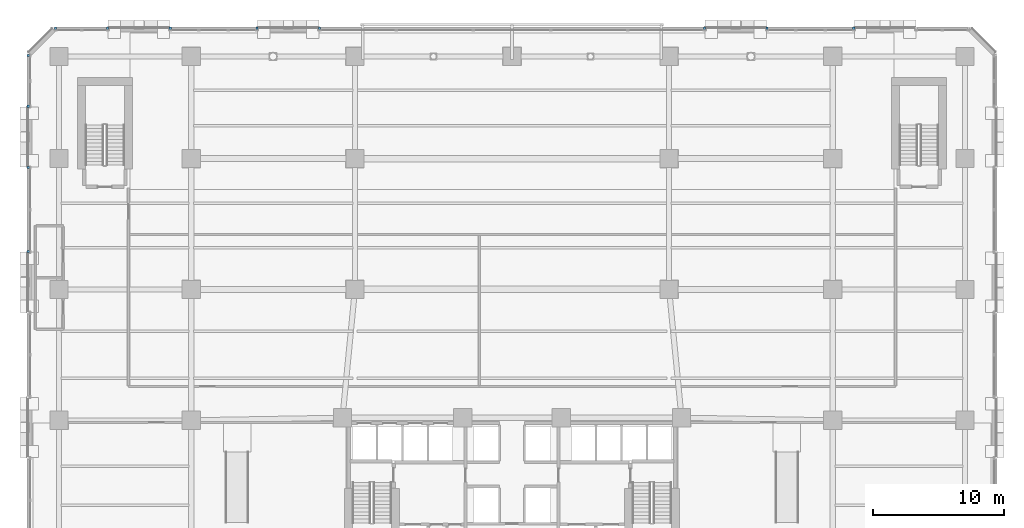
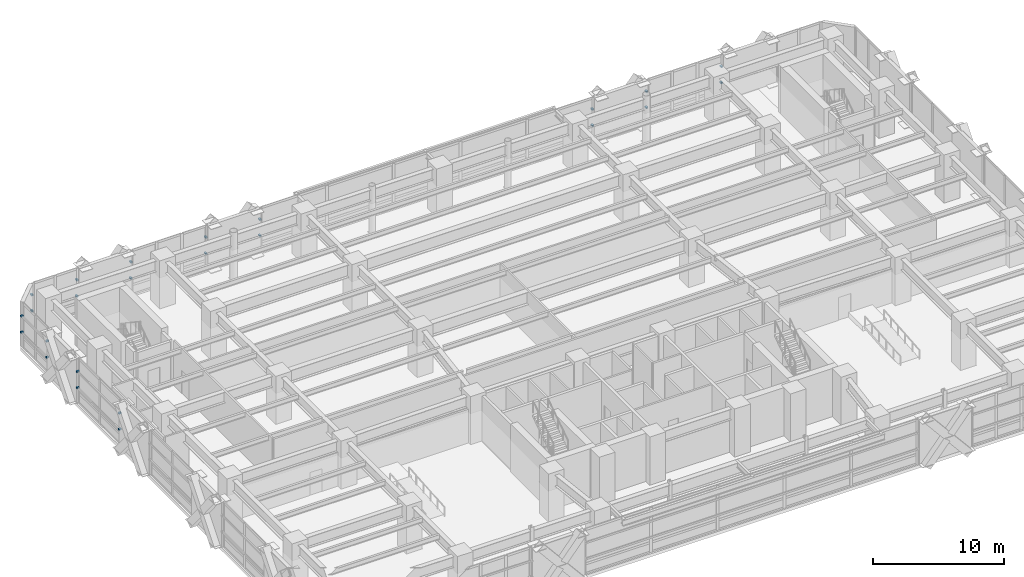
# One storey, part 22 of 30: 24 discrete accessories.
"""IFC4 building model written with IfcOpenShell, lengths in metres."""

from ifc_helpers import new_model, si_unit, direction, frame, origin, origin_2d, place, context, subcontext, project, spatial, rectangle, extrude, material, type_object, element, save


model = new_model("IFC4")

# Units and contexts
model_context = context("Model", 3, precision=1e-05, world=origin(), true_north=direction((0.0, 1.0)))
body_context = subcontext(model_context, "Body", "Model", "MODEL_VIEW")
ifc_project = project(units=[si_unit("LENGTHUNIT", "METRE"), si_unit("AREAUNIT", "SQUARE_METRE"), si_unit("VOLUMEUNIT", "CUBIC_METRE"), si_unit("PLANEANGLEUNIT", "RADIAN"), si_unit("MASSUNIT", "GRAM", prefix="KILO")], contexts=[model_context])

# Site, building, storey
site_placement = place(None, origin())
site = spatial("IfcSite", under=ifc_project, at=site_placement, CompositionType="ELEMENT")
building_placement = place(site_placement, origin())
building = spatial("IfcBuilding", under=site, at=building_placement, Name="Quenlor Broadcast Tower", CompositionType="ELEMENT")
storey_placement = place(building_placement, frame((0.0, 0.0, 9.5)))
storey = spatial("IfcBuildingStorey", under=building, at=storey_placement, Name="L02", CompositionType="ELEMENT", Elevation=9.5)

# Discrete accessories
ifc_material = material(Name="Aluminium 6063-T6", Category="aluminium")
discrete_accessory_type = type_object("IfcDiscreteAccessoryType", Name="Stainless Mullion Baguette Support Bracket", PredefinedType="BRACKET", material=ifc_material)
for number, where, z_axis, x_axis, name in (
    (1, (-34.85888671875, 24.93994140625, 1.44189453125), (0.0, 0.0, 1.0), (1.0, 0.0, 0.0), "L02 Baguette Mullion Bracket 1.1"),
    (2, (-30.890380859375, 24.93994140625, 1.44189453125), (0.0, 0.0, 1.0), (1.0, 0.0, 0.0), "L02 Baguette Mullion Bracket 1.2"),
    (3, (-34.85888671875, 24.93994140625, 2.9541015625), (0.0, 0.0, 1.0), (1.0, 0.0, 0.0), "L02 Baguette Mullion Bracket 2.1"),
    (4, (-30.890380859375, 24.93994140625, 2.9541015625), (0.0, 0.0, 1.0), (1.0, 0.0, 0.0), "L02 Baguette Mullion Bracket 2.2"),
    (5, (-26.109619140625, 24.93994140625, 1.44189453125), (0.0, 0.0, 1.0), (1.0, 0.0, 0.0), "L02 Baguette Mullion Bracket 1.1"),
    (6, (-19.490478515625, 24.93994140625, 1.44189453125), (0.0, 0.0, 1.0), (1.0, 0.0, 0.0), "L02 Baguette Mullion Bracket 1.2"),
    (7, (-26.109619140625, 24.93994140625, 2.9541015625), (0.0, 0.0, 1.0), (1.0, 0.0, 0.0), "L02 Baguette Mullion Bracket 2.1"),
    (8, (-19.490478515625, 24.93994140625, 2.9541015625), (0.0, 0.0, 1.0), (1.0, 0.0, 0.0), "L02 Baguette Mullion Bracket 2.2"),
    (9, (-14.70947265625, 24.93994140625, 1.44189453125), (0.0, 0.0, 1.0), (1.0, 0.0, 0.0), "L02 Baguette Mullion Bracket 1.1"),
    (10, (14.70947265625, 24.93994140625, 1.44189453125), (0.0, 0.0, 1.0), (1.0, 0.0, 0.0), "L02 Baguette Mullion Bracket 1.2"),
    (11, (-14.70947265625, 24.93994140625, 2.9541015625), (0.0, 0.0, 1.0), (1.0, 0.0, 0.0), "L02 Baguette Mullion Bracket 2.1"),
    (12, (14.70947265625, 24.93994140625, 2.9541015625), (0.0, 0.0, 1.0), (1.0, 0.0, 0.0), "L02 Baguette Mullion Bracket 2.2"),
    (13, (19.490478515625, 24.93994140625, 1.44189453125), (0.0, 0.0, 1.0), (1.0, 0.0, 0.0), "L02 Baguette Mullion Bracket 1.1"),
    (14, (26.109619140625, 24.93994140625, 1.44189453125), (0.0, 0.0, 1.0), (1.0, 0.0, 0.0), "L02 Baguette Mullion Bracket 1.2"),
    (15, (19.490478515625, 24.93994140625, 2.9541015625), (0.0, 0.0, 1.0), (1.0, 0.0, 0.0), "L02 Baguette Mullion Bracket 2.1"),
    (16, (26.109619140625, 24.93994140625, 2.9541015625), (0.0, 0.0, 1.0), (1.0, 0.0, 0.0), "L02 Baguette Mullion Bracket 2.2"),
    (17, (-36.93994140625, 7.893798828125, 1.44189453125), (0.0, 0.0, 1.0), (0.0, 1.0, 0.0), "L02 Baguette Mullion Bracket 1.1"),
    (18, (-36.93994140625, 14.306396484375, 1.44189453125), (0.0, 0.0, 1.0), (0.0, 1.0, 0.0), "L02 Baguette Mullion Bracket 1.2"),
    (19, (-36.93994140625, 7.893798828125, 2.9541015625), (0.0, 0.0, 1.0), (0.0, 1.0, 0.0), "L02 Baguette Mullion Bracket 2.1"),
    (20, (-36.93994140625, 14.306396484375, 2.9541015625), (0.0, 0.0, 1.0), (0.0, 1.0, 0.0), "L02 Baguette Mullion Bracket 2.2"),
    (21, (-36.93994140625, 18.99365234375, 1.44189453125), (0.0, 0.0, 1.0), (0.0, 1.0, 0.0), "L02 Baguette Mullion Bracket 1.1"),
    (22, (-36.93994140625, 22.85888671875, 1.44189453125), (0.0, 0.0, 1.0), (0.0, 1.0, 0.0), "L02 Baguette Mullion Bracket 1.2"),
    (23, (-36.93994140625, 18.99365234375, 2.9541015625), (0.0, 0.0, 1.0), (0.0, 1.0, 0.0), "L02 Baguette Mullion Bracket 2.1"),
    (24, (-36.93994140625, 22.85888671875, 2.9541015625), (0.0, 0.0, 1.0), (0.0, 1.0, 0.0), "L02 Baguette Mullion Bracket 2.2"),
):
    element("IfcDiscreteAccessory", number, at=place(storey_placement, frame(where, z_axis=z_axis, x_axis=x_axis)), inside=storey, type_object=discrete_accessory_type, Name=name, PredefinedType="BRACKET", context=body_context, shape_type="SweptSolid", body=[
        extrude(rectangle(XDim=0.159912109375, YDim=0.239990234375, at=origin_2d()), origin(), (0.0, 0.0, 1.0), 0.139892578125),
    ])

save(model, "model.ifc")
